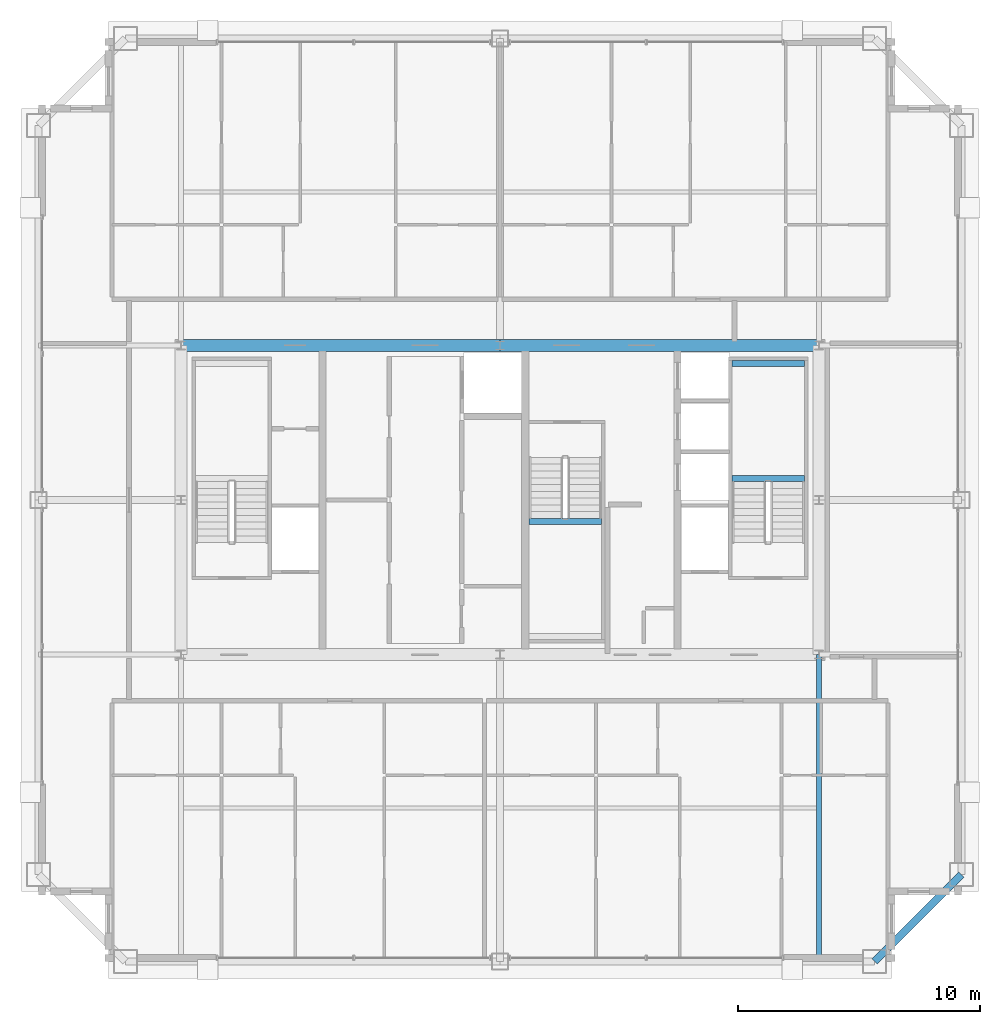
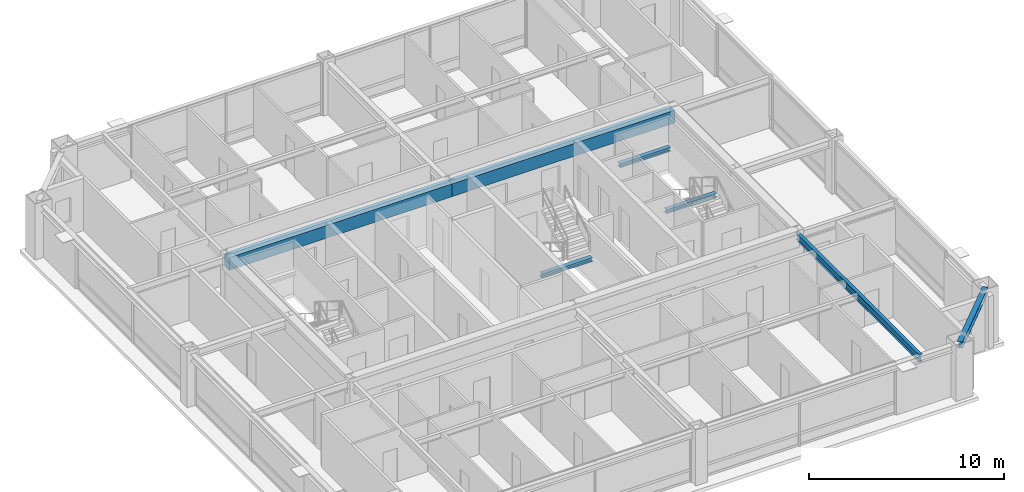
# One storey, part 13 of 35: 7 beams.
"""IFC4 building model written with IfcOpenShell, lengths in metres."""

from ifc_helpers import new_model, si_unit, direction, frame, origin, origin_2d, place, context, subcontext, project, spatial, rectangle, i_section, extrude, source, transform, mapped, material, material_profile, profile_set, type_object, element, save


model = new_model("IFC4")

# Units and contexts
model_context = context("Model", 3, precision=1e-05, world=origin(), true_north=direction((0.0, 1.0)))
body_context = subcontext(model_context, "Body", "Model", "MODEL_VIEW")
ifc_project = project(units=[si_unit("LENGTHUNIT", "METRE"), si_unit("AREAUNIT", "SQUARE_METRE"), si_unit("VOLUMEUNIT", "CUBIC_METRE"), si_unit("PLANEANGLEUNIT", "RADIAN"), si_unit("MASSUNIT", "GRAM", prefix="KILO"), si_unit("THERMODYNAMICTEMPERATUREUNIT", "KELVIN"), si_unit("POWERUNIT", "WATT")], contexts=[model_context])

# Site, building, storey
site_placement = place(None, origin())
site = spatial("IfcSite", under=ifc_project, at=site_placement, CompositionType="ELEMENT")
building_placement = place(site_placement, origin())
building = spatial("IfcBuilding", under=site, at=building_placement, Name="Yuzanri Waterfront Tower", CompositionType="ELEMENT")
storey_placement = place(building_placement, frame((0.0, 0.0, 296.10009765625)))
storey = spatial("IfcBuildingStorey", under=building, at=storey_placement, Name="L79", CompositionType="ELEMENT", Elevation=296.10009765625)

# Beams
ifc_material_1 = material(Name="Concrete C50", Category="concrete")
ifc_material_profile_1 = material_profile(ifc_material_1, rectangle(XDim=0.5, YDim=0.800048828125, at=origin_2d()), Name="RC 500x800")
ifc_profile_set_1 = profile_set([ifc_material_profile_1], Name="Concrete C50")
beam_type_1 = type_object("IfcBeamType", Name="Core Coupling Lintel Concrete C50 500x800", PredefinedType="LINTEL", material=ifc_profile_set_1)
shared_shape_1 = source(origin(), body_context, "Body", "SweptSolid", [
    extrude(rectangle(XDim=0.5, YDim=0.800048828125, at=origin_2d()), origin(), (0.0, 0.0, 1.0), 13.199951171875),
])
for number, where, z_axis, x_axis, name in (
    (1, (23.800048828125, 32.199951171875, 2.8798828125), (1.0, 0.0, 0.0), (0.0, 1.0, 0.0), "L79 Core Tie Beam CN1"),
    (2, (37.0, 32.199951171875, 2.8798828125), (1.0, 0.0, 0.0), (0.0, 1.0, 0.0), "L79 Core Tie Beam CN2"),
):
    element("IfcBeam", number, at=place(storey_placement, frame(where, z_axis=z_axis, x_axis=x_axis)), inside=storey, type_object=beam_type_1, Name=name, PredefinedType="LINTEL", context=body_context, shape_type="MappedRepresentation", body=[
        mapped(shared_shape_1, transform((0.0, 0.0, 0.0), scale=1.0)),
    ])
ifc_material_2 = material(Name="Steel Q355B", Category="steel")
ifc_material_profile_2 = material_profile(ifc_material_2, i_section(OverallWidth=0.300048828125, OverallDepth=0.389892578125, WebThickness=0.010009765625, FlangeThickness=0.01611328125, at=origin_2d()), Name="HM 390x300x10x16")
ifc_profile_set_2 = profile_set([ifc_material_profile_2], Name="Steel Q355B")
beam_type_2 = type_object("IfcBeamType", Name="Perimeter Spandrel Q355B HM 390x300", PredefinedType="SPANDREL", material=ifc_profile_set_2)
shared_shape_2 = source(origin(), body_context, "Body", "SweptSolid", [
    extrude(i_section(OverallWidth=0.300048828125, OverallDepth=0.389892578125, WebThickness=0.010009765625, FlangeThickness=0.01611328125, at=origin_2d()), origin(), (0.0, 0.0, 1.0), 5.09130859375),
])
beam_1_placement = place(storey_placement, frame((52.5, 6.699951171875, 3.0849609375), z_axis=(0.707106781187, 0.707106781187, 0.0), x_axis=(-0.707106781187, 0.707106781187, 0.0)))
element("IfcBeam", 3, at=beam_1_placement, inside=storey, type_object=beam_type_2, Name="L79 Perimeter Spandrel S3-E1", PredefinedType="SPANDREL", context=body_context, shape_type="MappedRepresentation", body=[
    mapped(shared_shape_2, transform((0.0, 0.0, 0.0), scale=1.0)),
])
ifc_material_3 = material(Name="Steel Q355B", Category="steel")
ifc_material_profile_3 = material_profile(ifc_material_3, i_section(OverallWidth=0.199951171875, OverallDepth=0.449951171875, WebThickness=0.009033203125, FlangeThickness=0.013916015625, at=origin_2d()), Name="HN 450x200x9x14")
ifc_profile_set_3 = profile_set([ifc_material_profile_3], Name="Steel Q355B")
beam_type_3 = type_object("IfcBeamType", Name="Secondary Floor Beam Q355B HN 450x200", PredefinedType="BEAM", material=ifc_profile_set_3)
shared_shape_3 = source(origin(), body_context, "Body", "SweptSolid", [
    extrude(i_section(OverallWidth=0.199951171875, OverallDepth=0.449951171875, WebThickness=0.009033203125, FlangeThickness=0.013916015625, at=origin_2d()), origin(), (0.0, 0.0, 1.0), 12.699951171875),
])
beam_2_placement = place(storey_placement, frame((50.199951171875, 19.39990234375, 3.054931640625), z_axis=(0.0, -1.0, 0.0), x_axis=(1.0, 0.0, 0.0)))
element("IfcBeam", 4, at=beam_2_placement, inside=storey, type_object=beam_type_3, Name="L79 South-East Core Line Beam", PredefinedType="BEAM", context=body_context, shape_type="MappedRepresentation", body=[
    mapped(shared_shape_3, transform((0.0, 0.0, 0.0), scale=1.0)),
])
ifc_material_4 = material(Name="Steel Q355B", Category="steel")
ifc_material_profile_4 = material_profile(ifc_material_4, i_section(OverallWidth=0.25, OverallDepth=0.25, WebThickness=0.009033203125, FlangeThickness=0.013916015625, at=origin_2d()), Name="HW 250x250x9x14")
ifc_profile_set_4 = profile_set([ifc_material_profile_4], Name="Steel Q355B")
beam_type_4 = type_object("IfcBeamType", Name="Stair Landing Support Beam Q355B HW 250x250", PredefinedType="BEAM", material=ifc_profile_set_4)
shared_shape_4 = source(origin(), body_context, "Body", "SweptSolid", [
    extrude(i_section(OverallWidth=0.25, OverallDepth=0.25, WebThickness=0.009033203125, FlangeThickness=0.013916015625, at=origin_2d()), origin(), (0.0, 0.0, 1.0), 3.0),
])
for number, where, z_axis, x_axis, name in (
    (5, (46.60009765625, 26.68994140625, 1.4248046875), (1.0, 0.0, 0.0), (0.0, 1.0, 0.0), "L79 Stair Landing Support Beam ST-02-L79-L1-1"),
    (6, (46.60009765625, 31.449951171875, 1.4248046875), (1.0, 0.0, 0.0), (0.0, 1.0, 0.0), "L79 Stair Landing Support Beam ST-02-L79-L1-2"),
    (7, (38.199951171875, 24.909912109375, 1.4248046875), (1.0, 0.0, 0.0), (0.0, 1.0, 0.0), "L79 Stair Landing Support Beam ST-03-L79-L1-2"),
):
    element("IfcBeam", number, at=place(storey_placement, frame(where, z_axis=z_axis, x_axis=x_axis)), inside=storey, type_object=beam_type_4, Name=name, PredefinedType="BEAM", context=body_context, shape_type="MappedRepresentation", body=[
        mapped(shared_shape_4, transform((0.0, 0.0, 0.0), scale=1.0)),
    ])

save(model, "model.ifc")
